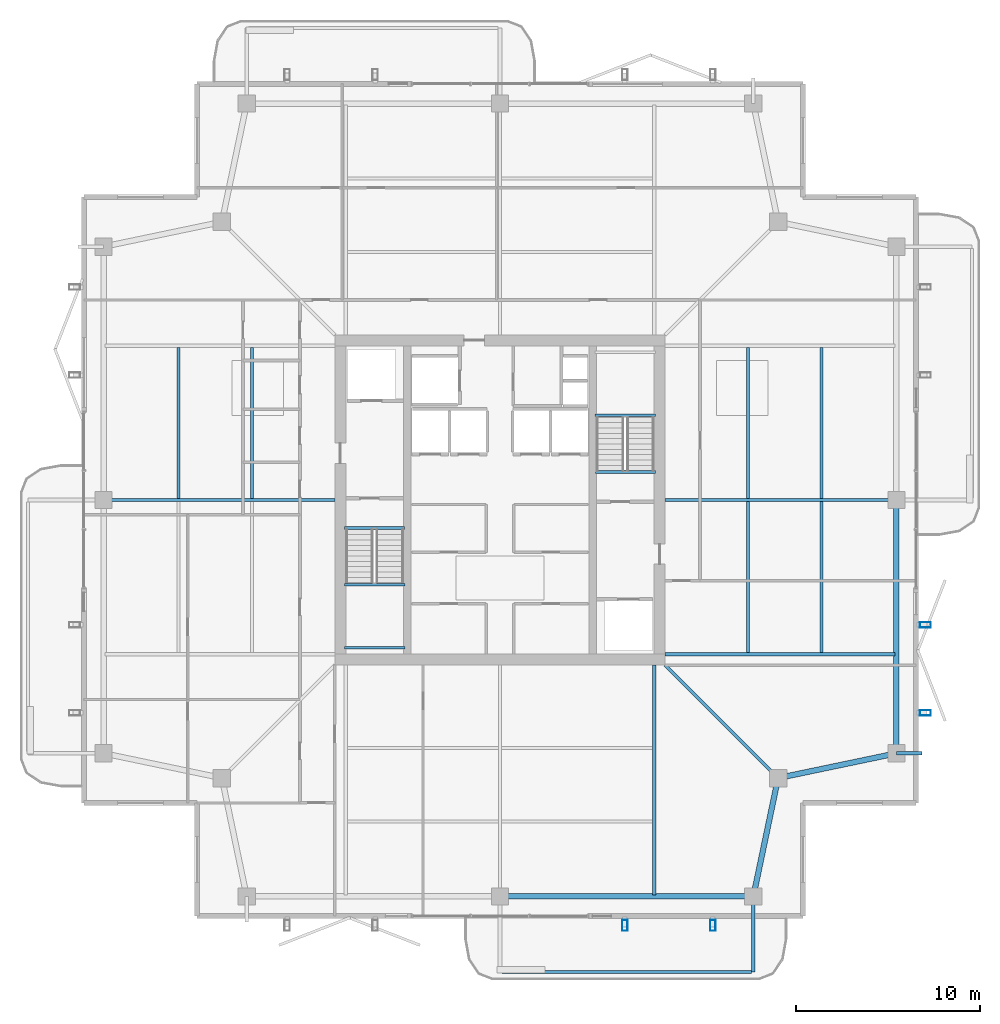
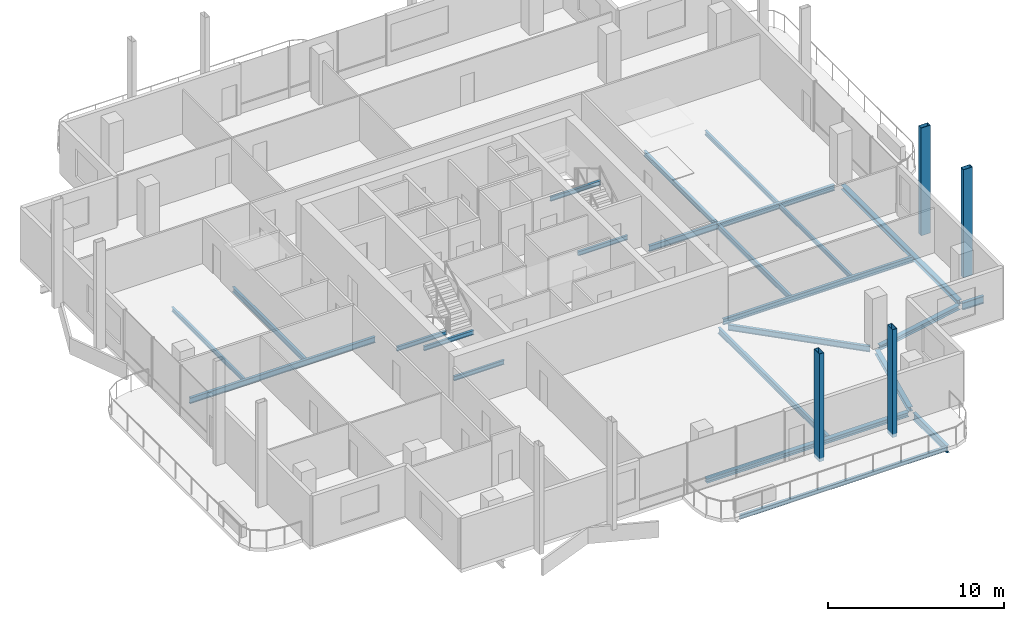
# One storey, part 8 of 20: 23 beams, 4 members.
"""IFC4 building model written with IfcOpenShell, lengths in metres."""

from ifc_helpers import new_model, si_unit, direction, frame, origin, origin_2d, place, context, subcontext, project, spatial, hollow_rectangle, i_section, extrude, material, material_profile, profile_set, type_object, element, save


model = new_model("IFC4")

# Units and contexts
model_context = context("Model", 3, precision=1e-05, world=origin(), true_north=direction((0.0, 1.0)))
body_context = subcontext(model_context, "Body", "Model", "MODEL_VIEW")
ifc_project = project(units=[si_unit("LENGTHUNIT", "METRE"), si_unit("AREAUNIT", "SQUARE_METRE"), si_unit("VOLUMEUNIT", "CUBIC_METRE"), si_unit("PLANEANGLEUNIT", "RADIAN"), si_unit("MASSUNIT", "GRAM", prefix="KILO")], contexts=[model_context])

# Site, building, storey
site_placement = place(None, origin())
site = spatial("IfcSite", under=ifc_project, at=site_placement, CompositionType="ELEMENT")
building_placement = place(site_placement, origin())
building = spatial("IfcBuilding", under=site, at=building_placement, Name="Belovzor Exchange Tower", CompositionType="ELEMENT")
storey_placement = place(building_placement, frame((0.0, 0.0, 299.25)))
storey = spatial("IfcBuildingStorey", under=building, at=storey_placement, Name="L74", CompositionType="ELEMENT", Elevation=299.25)

# Beams
ifc_material_1 = material(Name="Steel S355", Category="steel")
ifc_material_profile_1 = material_profile(ifc_material_1, i_section(OverallWidth=0.199951171875, OverallDepth=0.5, WebThickness=0.01025390625, FlangeThickness=0.01611328125, at=origin_2d()))
ifc_profile_set_1 = profile_set([ifc_material_profile_1], Name="Steel S355")
beam_type_1 = type_object("IfcBeamType", Name="Planted Balcony Cantilever Beam IPE 500", PredefinedType="BEAM", material=ifc_profile_set_1)
beam_1_placement = place(storey_placement, frame((42.60009765625, 6.93896484375, -0.489990234375), z_axis=(0.0, -1.0, 0.0), x_axis=(1.0, 0.0, 0.0)))
element("IfcBeam", 1, at=beam_1_placement, inside=storey, type_object=beam_type_1, Name="BC-500 Planted Balcony Cantilever Beam IPE 500", PredefinedType="BEAM", context=body_context, shape_type="SweptSolid", body=[
    extrude(i_section(OverallWidth=0.199951171875, OverallDepth=0.5, WebThickness=0.01025390625, FlangeThickness=0.01611328125, at=origin_2d()), origin(), (0.0, 0.0, 1.0), 3.849853515625),
])
beam_2_placement = place(storey_placement, frame((50.39990234375, 15.0, -0.489990234375), z_axis=(1.0, 0.0, 0.0), x_axis=(0.0, 1.0, 0.0)))
element("IfcBeam", 2, at=beam_2_placement, inside=storey, type_object=beam_type_1, Name="BC-500 Planted Balcony Cantilever Beam IPE 500", PredefinedType="BEAM", context=body_context, shape_type="SweptSolid", body=[
    extrude(i_section(OverallWidth=0.199951171875, OverallDepth=0.5, WebThickness=0.01025390625, FlangeThickness=0.01611328125, at=origin_2d()), origin(), (0.0, 0.0, 1.0), 1.400146484375),
])
ifc_material_2 = material(Name="Steel S355", Category="steel")
ifc_material_profile_2 = material_profile(ifc_material_2, i_section(OverallWidth=0.14990234375, OverallDepth=0.300048828125, WebThickness=0.007080078125, FlangeThickness=0.0107421875, at=origin_2d()))
ifc_profile_set_2 = profile_set([ifc_material_profile_2], Name="Steel S355")
beam_type_2 = type_object("IfcBeamType", Name="Planted Balcony Fascia Edge Beam IPE 300", PredefinedType="BEAM", material=ifc_profile_set_2)
beam_3_placement = place(storey_placement, frame((28.89990234375, 3.089111328125, -0.389892578125), z_axis=(1.0, 0.0, 0.0), x_axis=(0.0, 1.0, 0.0)))
element("IfcBeam", 3, at=beam_3_placement, inside=storey, type_object=beam_type_2, Name="BC-300 Planted Balcony Fascia Edge Beam IPE 300", PredefinedType="BEAM", context=body_context, shape_type="SweptSolid", body=[
    extrude(i_section(OverallWidth=0.14990234375, OverallDepth=0.300048828125, WebThickness=0.007080078125, FlangeThickness=0.0107421875, at=origin_2d()), origin(), (0.0, 0.0, 1.0), 13.60009765625),
])
ifc_material_3 = material(Name="Steel S355", Category="steel")
ifc_material_profile_3 = material_profile(ifc_material_3, i_section(OverallWidth=0.169921875, OverallDepth=0.360107421875, WebThickness=0.008056640625, FlangeThickness=0.0126953125, at=origin_2d()))
ifc_profile_set_3 = profile_set([ifc_material_profile_3], Name="Steel S355")
beam_type_3 = type_object("IfcBeamType", Name="Secondary Infill Floor Joist IPE 360", PredefinedType="BEAM", material=ifc_profile_set_3)
beam_4_placement = place(storey_placement, frame((15.291015625, 28.889892578125, -0.419921875), z_axis=(0.0, 1.0, 0.0), x_axis=(-1.0, 0.0, 0.0)))
element("IfcBeam", 4, at=beam_4_placement, inside=storey, type_object=beam_type_3, Name="FJ-360 Secondary Infill Floor Joist IPE 360", PredefinedType="BEAM", context=body_context, shape_type="SweptSolid", body=[
    extrude(i_section(OverallWidth=0.169921875, OverallDepth=0.360107421875, WebThickness=0.008056640625, FlangeThickness=0.0126953125, at=origin_2d()), origin(), (0.0, 0.0, 1.0), 8.22021484375),
])
beam_5_placement = place(storey_placement, frame((42.30908203125, 20.489990234375, -0.419921875), z_axis=(0.0, 1.0, 0.0), x_axis=(-1.0, 0.0, 0.0)))
element("IfcBeam", 5, at=beam_5_placement, inside=storey, type_object=beam_type_3, Name="FJ-360 Secondary Infill Floor Joist IPE 360", PredefinedType="BEAM", context=body_context, shape_type="SweptSolid", body=[
    extrude(i_section(OverallWidth=0.169921875, OverallDepth=0.360107421875, WebThickness=0.008056640625, FlangeThickness=0.0126953125, at=origin_2d()), origin(), (0.0, 0.0, 1.0), 8.219970703125),
])
beam_6_placement = place(storey_placement, frame((42.30908203125, 28.889892578125, -0.419921875), z_axis=(0.0, 1.0, 0.0), x_axis=(-1.0, 0.0, 0.0)))
element("IfcBeam", 6, at=beam_6_placement, inside=storey, type_object=beam_type_3, Name="FJ-360 Secondary Infill Floor Joist IPE 360", PredefinedType="BEAM", context=body_context, shape_type="SweptSolid", body=[
    extrude(i_section(OverallWidth=0.169921875, OverallDepth=0.360107421875, WebThickness=0.008056640625, FlangeThickness=0.0126953125, at=origin_2d()), origin(), (0.0, 0.0, 1.0), 8.22021484375),
])
ifc_material_4 = material(Name="Steel S355", Category="steel")
ifc_material_profile_4 = material_profile(ifc_material_4, i_section(OverallWidth=0.14990234375, OverallDepth=0.300048828125, WebThickness=0.007080078125, FlangeThickness=0.0107421875, at=origin_2d()))
ifc_profile_set_4 = profile_set([ifc_material_profile_4], Name="Steel S355")
beam_type_4 = type_object("IfcBeamType", Name="Secondary Trim Floor Joist IPE 300", PredefinedType="BEAM", material=ifc_profile_set_4)
for number, where, z_axis, x_axis, name in (
    (7, (20.320068359375, 24.179931640625, 1.52490234375), (1.0, 0.0, 0.0), (0.0, 1.0, 0.0), "FJ-300 Secondary Trim Floor Joist IPE 300"),
    (8, (20.320068359375, 20.75, 1.52490234375), (1.0, 0.0, 0.0), (0.0, 1.0, 0.0), "FJ-300 Secondary Trim Floor Joist IPE 300"),
):
    element("IfcBeam", number, at=place(storey_placement, frame(where, z_axis=z_axis, x_axis=x_axis)), inside=storey, type_object=beam_type_4, Name=name, PredefinedType="BEAM", context=body_context, shape_type="SweptSolid", body=[
        extrude(i_section(OverallWidth=0.14990234375, OverallDepth=0.300048828125, WebThickness=0.007080078125, FlangeThickness=0.0107421875, at=origin_2d()), origin(), (0.0, 0.0, 1.0), 3.309814453125),
    ])
beam_7_placement = place(storey_placement, frame((20.340087890625, 27.280029296875, -0.389892578125), z_axis=(1.0, 0.0, 0.0), x_axis=(0.0, 1.0, 0.0)))
element("IfcBeam", 9, at=beam_7_placement, inside=storey, type_object=beam_type_4, Name="FJ-300 Secondary Trim Floor Joist IPE 300", PredefinedType="BEAM", context=body_context, shape_type="SweptSolid", body=[
    extrude(i_section(OverallWidth=0.14990234375, OverallDepth=0.300048828125, WebThickness=0.007080078125, FlangeThickness=0.0107421875, at=origin_2d()), origin(), (0.0, 0.0, 1.0), 3.27001953125),
])
beam_8_placement = place(storey_placement, frame((37.280029296875, 33.419921875, 1.52490234375), z_axis=(-1.0, 0.0, 0.0), x_axis=(0.0, -1.0, 0.0)))
element("IfcBeam", 10, at=beam_8_placement, inside=storey, type_object=beam_type_4, Name="FJ-300 Secondary Trim Floor Joist IPE 300", PredefinedType="BEAM", context=body_context, shape_type="SweptSolid", body=[
    extrude(i_section(OverallWidth=0.14990234375, OverallDepth=0.300048828125, WebThickness=0.007080078125, FlangeThickness=0.0107421875, at=origin_2d()), origin(), (0.0, 0.0, 1.0), 3.31005859375),
])
beam_9_placement = place(storey_placement, frame((37.260009765625, 30.320068359375, -0.389892578125), z_axis=(-1.0, 0.0, 0.0), x_axis=(0.0, -1.0, 0.0)))
element("IfcBeam", 11, at=beam_9_placement, inside=storey, type_object=beam_type_4, Name="FJ-300 Secondary Trim Floor Joist IPE 300", PredefinedType="BEAM", context=body_context, shape_type="SweptSolid", body=[
    extrude(i_section(OverallWidth=0.14990234375, OverallDepth=0.300048828125, WebThickness=0.007080078125, FlangeThickness=0.0107421875, at=origin_2d()), origin(), (0.0, 0.0, 1.0), 3.27001953125),
])
beam_10_placement = place(storey_placement, frame((11.282958984375, 28.889892578125, -0.389892578125), z_axis=(0.0, 1.0, 0.0), x_axis=(-1.0, 0.0, 0.0)))
element("IfcBeam", 12, at=beam_10_placement, inside=storey, type_object=beam_type_4, Name="FJ-300 Secondary Trim Floor Joist IPE 300", PredefinedType="BEAM", context=body_context, shape_type="SweptSolid", body=[
    extrude(i_section(OverallWidth=0.14990234375, OverallDepth=0.300048828125, WebThickness=0.007080078125, FlangeThickness=0.0107421875, at=origin_2d()), origin(), (0.0, 0.0, 1.0), 8.22021484375),
])
beam_11_placement = place(storey_placement, frame((46.31689453125, 20.489990234375, -0.389892578125), z_axis=(0.0, 1.0, 0.0), x_axis=(-1.0, 0.0, 0.0)))
element("IfcBeam", 13, at=beam_11_placement, inside=storey, type_object=beam_type_4, Name="FJ-300 Secondary Trim Floor Joist IPE 300", PredefinedType="BEAM", context=body_context, shape_type="SweptSolid", body=[
    extrude(i_section(OverallWidth=0.14990234375, OverallDepth=0.300048828125, WebThickness=0.007080078125, FlangeThickness=0.0107421875, at=origin_2d()), origin(), (0.0, 0.0, 1.0), 8.219970703125),
])
beam_12_placement = place(storey_placement, frame((46.31689453125, 28.889892578125, -0.389892578125), z_axis=(0.0, 1.0, 0.0), x_axis=(-1.0, 0.0, 0.0)))
element("IfcBeam", 14, at=beam_12_placement, inside=storey, type_object=beam_type_4, Name="FJ-300 Secondary Trim Floor Joist IPE 300", PredefinedType="BEAM", context=body_context, shape_type="SweptSolid", body=[
    extrude(i_section(OverallWidth=0.14990234375, OverallDepth=0.300048828125, WebThickness=0.007080078125, FlangeThickness=0.0107421875, at=origin_2d()), origin(), (0.0, 0.0, 1.0), 8.22021484375),
])

# Members
ifc_material_5 = material(Name="Extruded Architectural Terracotta on Steel S355 Carrier", Category="masonry")
ifc_material_profile_5 = material_profile(ifc_material_5, hollow_rectangle(XDim=0.300048828125, YDim=0.60009765625, WallThickness=0.01611328125, at=origin_2d()))
ifc_profile_set_5 = profile_set([ifc_material_profile_5], Name="Extruded Architectural Terracotta on Steel S355 Carrier")
member_type = type_object("IfcMemberType", Name="Upper Crown Terracotta Fin Assembly 550", PredefinedType="USERDEFINED", material=ifc_profile_set_5)
for number, where, z_axis, x_axis, name in (
    (15, (51.97509765625, 17.199951171875, -0.239990234375), (0.0, 0.0, 1.0), (0.0, 1.0, 0.0), "FIN-TC055 Terracotta Facade Fin L74 E1"),
    (16, (51.97509765625, 22.0, -0.239990234375), (0.0, 0.0, 1.0), (0.0, 1.0, 0.0), "FIN-TC055 Terracotta Facade Fin L74 E2"),
    (17, (35.60009765625, 5.625, -0.239990234375), (0.0, 0.0, 1.0), (1.0, 0.0, 0.0), "FIN-TC055 Terracotta Facade Fin L74 S3"),
    (18, (40.39990234375, 5.625, -0.239990234375), (0.0, 0.0, 1.0), (1.0, 0.0, 0.0), "FIN-TC055 Terracotta Facade Fin L74 S4"),
):
    element("IfcMember", number, at=place(storey_placement, frame(where, z_axis=z_axis, x_axis=x_axis)), inside=storey, type_object=member_type, Name=name, ObjectType="FIN", PredefinedType="USERDEFINED", context=body_context, shape_type="SweptSolid", body=[
        extrude(hollow_rectangle(XDim=0.300048828125, YDim=0.60009765625, WallThickness=0.01611328125, at=origin_2d()), origin(), (0.0, 0.0, 1.0), 7.5),
    ])

# Beams
ifc_material_6 = material(Name="Steel S355", Category="steel")
ifc_material_profile_6 = material_profile(ifc_material_6, i_section(OverallWidth=0.179931640625, OverallDepth=0.39990234375, WebThickness=0.008544921875, FlangeThickness=0.013427734375, at=origin_2d()))
ifc_profile_set_6 = profile_set([ifc_material_profile_6], Name="Steel S355")
beam_type_5 = type_object("IfcBeamType", Name="Zone 5-6 Radial Composite Floor Beam IPE 400", PredefinedType="BEAM", material=ifc_profile_set_6)
beam_13_placement = place(storey_placement, frame((37.199951171875, 19.800048828125, -0.43994140625), z_axis=(0.0, -1.0, 0.0), x_axis=(1.0, 0.0, 0.0)))
element("IfcBeam", 19, at=beam_13_placement, inside=storey, type_object=beam_type_5, Name="FB-400 Zone 5-6 Radial Composite Floor Beam IPE 400", PredefinedType="BEAM", context=body_context, shape_type="SweptSolid", body=[
    extrude(i_section(OverallWidth=0.179931640625, OverallDepth=0.39990234375, WebThickness=0.008544921875, FlangeThickness=0.013427734375, at=origin_2d()), origin(), (0.0, 0.0, 1.0), 12.525146484375),
])
beam_14_placement = place(storey_placement, frame((19.800048828125, 28.800048828125, -0.43994140625), z_axis=(-1.0, 0.0, 0.0), x_axis=(0.0, -1.0, 0.0)))
element("IfcBeam", 20, at=beam_14_placement, inside=storey, type_object=beam_type_5, Name="FB-400 Zone 5-6 Radial Composite Floor Beam IPE 400", PredefinedType="BEAM", context=body_context, shape_type="SweptSolid", body=[
    extrude(i_section(OverallWidth=0.179931640625, OverallDepth=0.39990234375, WebThickness=0.008544921875, FlangeThickness=0.013427734375, at=origin_2d()), origin(), (0.0, 0.0, 1.0), 12.18212890625),
])
beam_15_placement = place(storey_placement, frame((37.800048828125, 20.39990234375, -0.43994140625), z_axis=(1.0, 0.0, 0.0), x_axis=(0.0, 1.0, 0.0)))
element("IfcBeam", 21, at=beam_15_placement, inside=storey, type_object=beam_type_5, Name="FB-400 Zone 5-6 Radial Composite Floor Beam IPE 400", PredefinedType="BEAM", context=body_context, shape_type="SweptSolid", body=[
    extrude(i_section(OverallWidth=0.179931640625, OverallDepth=0.39990234375, WebThickness=0.008544921875, FlangeThickness=0.013427734375, at=origin_2d()), origin(), (0.0, 0.0, 1.0), 12.52490234375),
])
beam_16_placement = place(storey_placement, frame((37.800048828125, 28.800048828125, -0.43994140625), z_axis=(1.0, 0.0, 0.0), x_axis=(0.0, 1.0, 0.0)))
element("IfcBeam", 22, at=beam_16_placement, inside=storey, type_object=beam_type_5, Name="FB-400 Zone 5-6 Radial Composite Floor Beam IPE 400", PredefinedType="BEAM", context=body_context, shape_type="SweptSolid", body=[
    extrude(i_section(OverallWidth=0.179931640625, OverallDepth=0.39990234375, WebThickness=0.008544921875, FlangeThickness=0.013427734375, at=origin_2d()), origin(), (0.0, 0.0, 1.0), 12.181884765625),
])
beam_17_placement = place(storey_placement, frame((37.800048828125, 19.800048828125, -0.43994140625), z_axis=(0.707150577091, -0.707062982569, 0.0), x_axis=(0.707062982569, 0.707150577091, 0.0)))
element("IfcBeam", 23, at=beam_17_placement, inside=storey, type_object=beam_type_5, Name="FB-400 Zone 5-6 Radial Composite Floor Beam IPE 400", PredefinedType="BEAM", context=body_context, shape_type="SweptSolid", body=[
    extrude(i_section(OverallWidth=0.179931640625, OverallDepth=0.39990234375, WebThickness=0.008544921875, FlangeThickness=0.013427734375, at=origin_2d()), origin(), (0.0, 0.0, 1.0), 8.361572265625),
])
ifc_material_7 = material(Name="Steel S355", Category="steel")
ifc_material_profile_7 = material_profile(ifc_material_7, i_section(OverallWidth=0.300048828125, OverallDepth=0.300048828125, WebThickness=0.008544921875, FlangeThickness=0.013916015625, at=origin_2d()))
ifc_profile_set_7 = profile_set([ifc_material_profile_7], Name="Steel S355")
beam_type_6 = type_object("IfcBeamType", Name="Zone 6 Primary Girder HEA 300", PredefinedType="BEAM", material=ifc_profile_set_7)
beam_18_placement = place(storey_placement, frame((29.06103515625, 7.199951171875, -0.389892578125), z_axis=(1.0, 0.0, 0.0), x_axis=(0.0, 1.0, 0.0)))
element("IfcBeam", 24, at=beam_18_placement, inside=storey, type_object=beam_type_6, Name="FG-Z6 Zone 6 Primary Girder HEA 300", PredefinedType="BEAM", context=body_context, shape_type="SweptSolid", body=[
    extrude(i_section(OverallWidth=0.300048828125, OverallDepth=0.300048828125, WebThickness=0.008544921875, FlangeThickness=0.013916015625, at=origin_2d()), origin(), (0.0, 0.0, 1.0), 13.278076171875),
])
for number, where, z_axis, x_axis, name in (
    (25, (42.654052734375, 7.4560546875, -0.389892578125), (0.204722380619, 0.978820078908, 0.0), (-0.978820078908, 0.204722380619, 0.0), "FG-Z6 Zone 6 Primary Girder HEA 300"),
    (26, (44.2060546875, 13.7041015625, -0.389892578125), (0.978820078908, 0.204722380619, 0.0), (-0.204722380619, 0.978820078908, 0.0), "FG-Z6 Zone 6 Primary Girder HEA 300"),
):
    element("IfcBeam", number, at=place(storey_placement, frame(where, z_axis=z_axis, x_axis=x_axis)), inside=storey, type_object=beam_type_6, Name=name, PredefinedType="BEAM", context=body_context, shape_type="SweptSolid", body=[
        extrude(i_section(OverallWidth=0.300048828125, OverallDepth=0.300048828125, WebThickness=0.008544921875, FlangeThickness=0.013916015625, at=origin_2d()), origin(), (0.0, 0.0, 1.0), 6.06640625),
    ])
beam_19_placement = place(storey_placement, frame((50.39990234375, 15.260986328125, -0.389892578125), z_axis=(0.0, 1.0, 0.0), x_axis=(-1.0, 0.0, 0.0)))
element("IfcBeam", 27, at=beam_19_placement, inside=storey, type_object=beam_type_6, Name="FG-Z6 Zone 6 Primary Girder HEA 300", PredefinedType="BEAM", context=body_context, shape_type="SweptSolid", body=[
    extrude(i_section(OverallWidth=0.300048828125, OverallDepth=0.300048828125, WebThickness=0.008544921875, FlangeThickness=0.013916015625, at=origin_2d()), origin(), (0.0, 0.0, 1.0), 13.278076171875),
])

save(model, "model.ifc")
